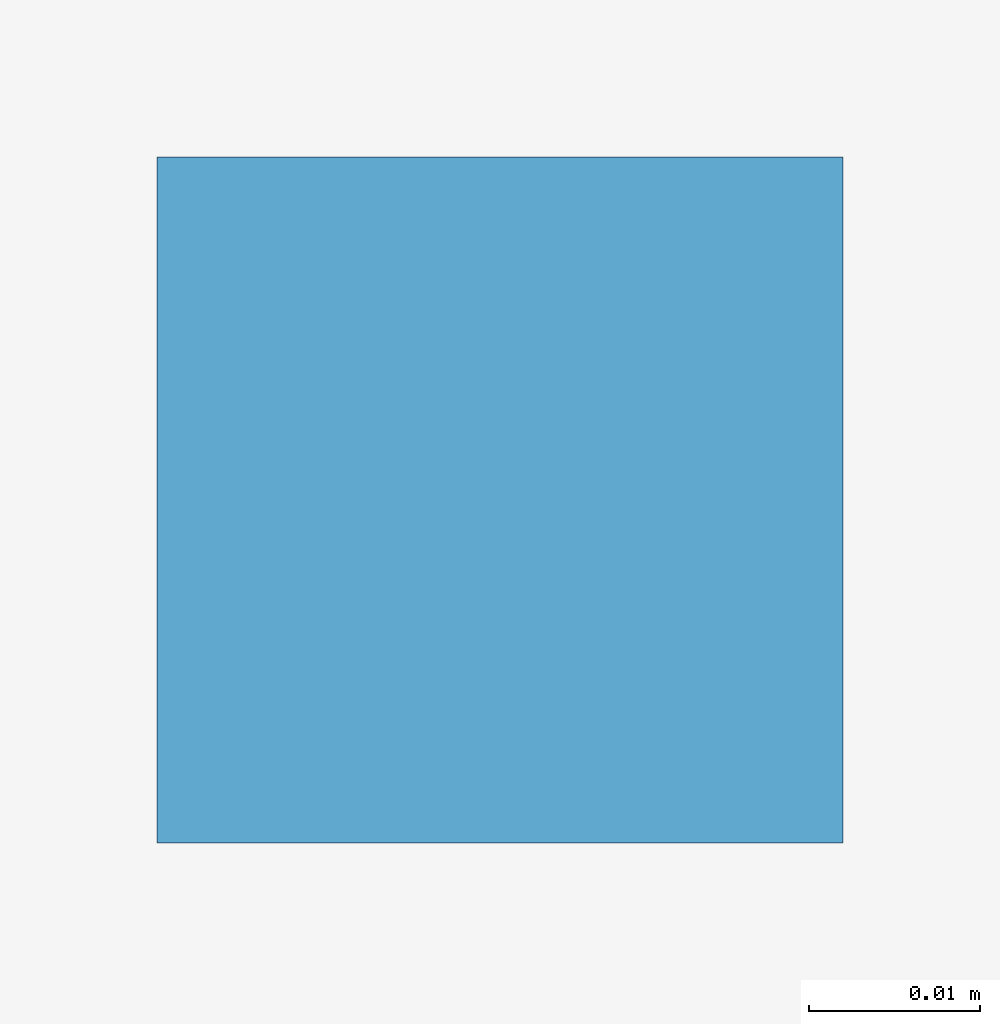
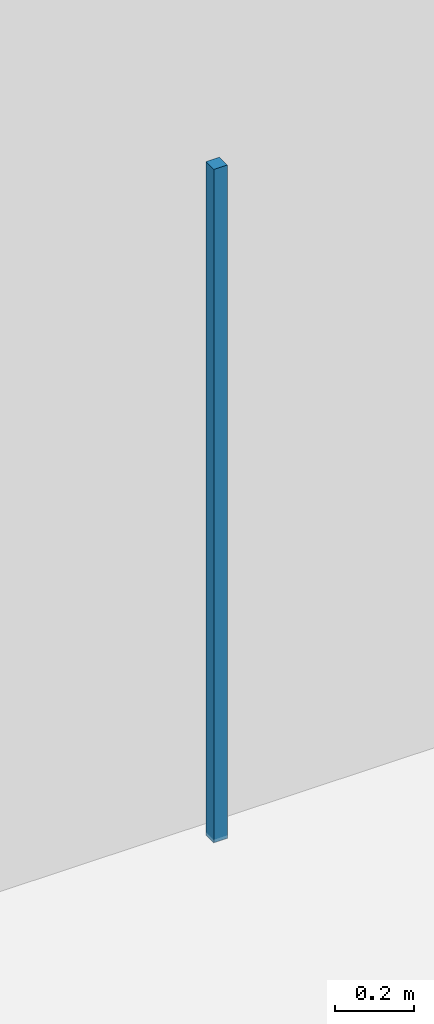
# One storey, part 140 of 167: 1 discrete accessory.
"""IFC4 building model written with IfcOpenShell, lengths in metres."""

import ifcopenshell
import ifcopenshell.guid

model = None  # the IFC model being written
_history = None  # IfcOwnerHistory: only IFC2X3 demands one
_inside = {}  # id of a spatial element -> (the spatial element, [elements in it])
_under = {}  # id of a project, library or spatial element -> (it, [spatial elements below it])
_declared = {}  # id of a project -> (the project, [libraries it declares])
_typed = {}  # id of a type object -> (the type object, [elements of that type])
_made_of = {}  # id of a material, layer set ... -> (it, [elements and type objects made of it])


def new_model(schema):
    """Start an empty IFC model of exactly this schema.

    Asked for "IFC4X3", IfcOpenShell would pick the latest addendum, in which some entities
    have other attributes; the version numbers below select the first issue.
    IFC2X3 requires an IfcOwnerHistory on every rooted entity: one is made here for all.
    """
    global model, _history
    if schema == "IFC4X3":
        model = ifcopenshell.file(schema_version=(4, 3, 0, 0))
    else:
        model = ifcopenshell.file(schema=schema)
    _inside.clear()
    _under.clear()
    _declared.clear()
    _typed.clear()
    _made_of.clear()
    _history = None
    if model.schema == "IFC2X3":
        org = make("IfcOrganization", Name="unknown")
        user = make(
            "IfcPersonAndOrganization",
            ThePerson=make("IfcPerson", FamilyName="unknown"),
            TheOrganization=org,
        )
        app = make(
            "IfcApplication",
            ApplicationDeveloper=org,
            Version="unknown",
            ApplicationFullName="unknown",
            ApplicationIdentifier="unknown",
        )
        _history = make(
            "IfcOwnerHistory",
            OwningUser=user,
            OwningApplication=app,
            ChangeAction="ADDED",
            CreationDate=0,
        )
    return model


def make(cls, **values):
    """One entity of the class cls with the attributes given. An attribute that is None is left unset."""
    return model.create_entity(
        cls, **{name: value for name, value in values.items() if value is not None}
    )


def rooted(cls, **values):
    """An entity with a GlobalId (a new one), such as an element, a storey or a relation."""
    return make(cls, GlobalId=ifcopenshell.guid.new(), OwnerHistory=_history, **values)


def si_unit(unit_type, name, prefix=None):
    """IfcSIUnit, for example si_unit("LENGTHUNIT", "METRE", prefix="MILLI")."""
    return make("IfcSIUnit", UnitType=unit_type, Prefix=prefix, Name=name)


def assignment(units):
    """IfcUnitAssignment: the units of a project."""
    return None if units is None else make("IfcUnitAssignment", Units=units)


def point(xyz):
    """IfcCartesianPoint."""
    return None if xyz is None else make("IfcCartesianPoint", Coordinates=xyz)


def direction(xyz):
    """IfcDirection."""
    return None if xyz is None else make("IfcDirection", DirectionRatios=xyz)


def frame(location, z_axis=None, x_axis=None):
    """IfcAxis2Placement3D, a coordinate frame: its origin and axes. An axis left out is left unset."""
    return make(
        "IfcAxis2Placement3D",
        Location=point(location),
        Axis=direction(z_axis),
        RefDirection=direction(x_axis),
    )


def frame_2d(location, x_axis=None):
    """IfcAxis2Placement2D, a coordinate frame in the plane: its origin and x axis."""
    return make(
        "IfcAxis2Placement2D", Location=point(location), RefDirection=direction(x_axis)
    )


def origin():
    """The frame at (0, 0, 0) with its axes left unset."""
    return frame((0.0, 0.0, 0.0))


def origin_2d():
    """The frame at (0, 0) in the plane with its x axis left unset."""
    return frame_2d((0.0, 0.0))


def place(relative_to, where):
    """IfcLocalPlacement: puts the frame where relative to a parent placement (None: the world)."""
    return make(
        "IfcLocalPlacement", PlacementRelTo=relative_to, RelativePlacement=where
    )


def context(
    kind, dimensions, precision=None, world=None, true_north=None, identifier=None
):
    """IfcGeometricRepresentationContext, for example the 3D "Model" context."""
    return make(
        "IfcGeometricRepresentationContext",
        ContextIdentifier=identifier,
        ContextType=kind,
        CoordinateSpaceDimension=dimensions,
        Precision=precision,
        WorldCoordinateSystem=world,
        TrueNorth=true_north,
    )


def subcontext(parent, identifier, kind, view, scale=None):
    """IfcGeometricRepresentationSubContext, for example "Body" below "Model"."""
    return make(
        "IfcGeometricRepresentationSubContext",
        ContextIdentifier=identifier,
        ContextType=kind,
        ParentContext=parent,
        TargetScale=scale,
        TargetView=view,
    )


def project(units=None, contexts=None):
    """IfcProject with its units and contexts."""
    return rooted(
        "IfcProject",
        Name="project",
        RepresentationContexts=contexts,
        UnitsInContext=assignment(units),
    )


def spatial(cls, under=None, at=None, **own):
    """A site, building, storey or space (cls), placed at a placement, below another one or the project."""
    s = rooted(cls, ObjectPlacement=at, **own)
    if under is not None:
        _under.setdefault(under.id(), (under, []))[1].append(s)
    return s


def profile(cls, at=None, kind="AREA", **sizes):
    """A parametric profile (cls). Its sizes go by their IFC names, for example OverallWidth=200.0."""
    return make(cls, ProfileType=kind, Position=at, **sizes)


def rectangle(**sizes):
    """IfcRectangleProfileDef."""
    return profile("IfcRectangleProfileDef", **sizes)


def extrude(swept, where, along, depth):
    """IfcExtrudedAreaSolid: the profile swept, set in the frame where, extruded along a direction by depth."""
    return make(
        "IfcExtrudedAreaSolid",
        SweptArea=swept,
        Position=where,
        ExtrudedDirection=direction(along),
        Depth=depth,
    )


def shape(context_of_items, identifier, shape_type, items):
    """IfcShapeRepresentation: the items that make up one representation, for example the "Body"."""
    return make(
        "IfcShapeRepresentation",
        ContextOfItems=context_of_items,
        RepresentationIdentifier=identifier,
        RepresentationType=shape_type,
        Items=items,
    )


def material(Name=None, Category=None):
    """IfcMaterial."""
    return make("IfcMaterial", Name=Name, Category=Category)


def made_of(thing, what):
    """Note that an element or type object is made of a material, layer set ...; save() writes the relation."""
    if what is not None:
        _made_of.setdefault(what.id(), (what, []))[1].append(thing)
    return thing


def type_object(cls, material=None, **own):
    """A type object (cls), such as IfcWallType, which elements share."""
    return made_of(rooted(cls, **own), material)


def element(
    cls,
    number,
    at=None,
    inside=None,
    cuts=None,
    type_object=None,
    material=None,
    context=None,
    identifier="Body",
    shape_type=None,
    held_by="IfcProductDefinitionShape",
    body=None,
    shapes=None,
    **own,
):
    """One element of the class cls, such as IfcWall. Its Tag is "e" and its number.

    at: its placement. inside: the storey or other place that contains it. cuts: it is an
    opening in that element (IfcRelVoidsElement). A single representation is given by context,
    identifier, shape_type and body (its items); several are given by shapes. held_by: the class
    of the entity that holds the representations. save() writes the other relations.
    """
    e = rooted(cls, Tag="e%d" % number, ObjectPlacement=at, **own)
    if body is not None:
        shapes = [shape(context, identifier, shape_type, body)]
    if shapes is not None:
        e.Representation = make(held_by, Representations=shapes)
    if inside is not None:
        _inside.setdefault(inside.id(), (inside, []))[1].append(e)
    if cuts is not None:
        rooted(
            "IfcRelVoidsElement", RelatingBuildingElement=cuts, RelatedOpeningElement=e
        )
    if type_object is not None:
        _typed.setdefault(type_object.id(), (type_object, []))[1].append(e)
    return made_of(e, material)


def aggregate(whole, parts):
    """IfcRelAggregates: a whole, such as a stair, and the parts it consists of."""
    return rooted("IfcRelAggregates", RelatingObject=whole, RelatedObjects=parts)


def save(model, path):
    """Write the relations noted so far, then the file.

    IfcRelAggregates (storeys below a building ...), IfcRelContainedInSpatialStructure (elements
    in a storey), IfcRelDefinesByType, IfcRelAssociatesMaterial and IfcRelDeclares: one each for
    every whole, place, type object, material and project.
    """
    for whole, parts in _under.values():
        aggregate(whole, parts)
    for where, things in _inside.values():
        rooted(
            "IfcRelContainedInSpatialStructure",
            RelatedElements=things,
            RelatingStructure=where,
        )
    for kind, things in _typed.values():
        rooted("IfcRelDefinesByType", RelatedObjects=things, RelatingType=kind)
    for what, things in _made_of.values():
        rooted("IfcRelAssociatesMaterial", RelatedObjects=things, RelatingMaterial=what)
    for by, libraries in _declared.values():
        rooted("IfcRelDeclares", RelatingContext=by, RelatedDefinitions=libraries)
    model.write(path)


model = new_model("IFC4")

# Units and contexts
model_context = context("Model", 3, precision=1e-05, world=origin(), true_north=direction((0.0, 1.0)))
body_context = subcontext(model_context, "Body", "Model", "MODEL_VIEW")
ifc_project = project(units=[si_unit("LENGTHUNIT", "METRE"), si_unit("AREAUNIT", "SQUARE_METRE"), si_unit("VOLUMEUNIT", "CUBIC_METRE"), si_unit("PLANEANGLEUNIT", "RADIAN"), si_unit("MASSUNIT", "GRAM", prefix="KILO")], contexts=[model_context])

# Site, building, storey
site_placement = place(None, origin())
site = spatial("IfcSite", under=ifc_project, at=site_placement, CompositionType="ELEMENT")
building_placement = place(site_placement, origin())
building = spatial("IfcBuilding", under=site, at=building_placement, Name="Varncliffe General Hospital", CompositionType="ELEMENT")
storey_placement = place(building_placement, origin())
storey = spatial("IfcBuildingStorey", under=building, at=storey_placement, Name="L00", CompositionType="ELEMENT", Elevation=0.0)

# Discrete accessory
ifc_material = material(Name="Powder-coated hospital steel guardrail and handrail", Category="steel")
discrete_accessory_type = type_object("IfcDiscreteAccessoryType", Name="Suspended Ceiling Hanger Bracket CH01", PredefinedType="BRACKET", material=ifc_material)
discrete_accessory_placement = place(storey_placement, frame((171.60009765625, 120.60009765625, 3.18994140625), z_axis=(0.0, 0.0, 1.0), x_axis=(1.0, 0.0, 0.0)))
element("IfcDiscreteAccessory", 1, at=discrete_accessory_placement, inside=storey, type_object=discrete_accessory_type, Name="L00 Suspended Ceiling Hanger 100", PredefinedType="BRACKET", context=body_context, shape_type="SweptSolid", body=[
    extrude(rectangle(XDim=0.0400390625, YDim=0.0400390625, at=origin_2d()), origin(), (0.0, 0.0, 1.0), 2.090087890625),
])

save(model, "model.ifc")
